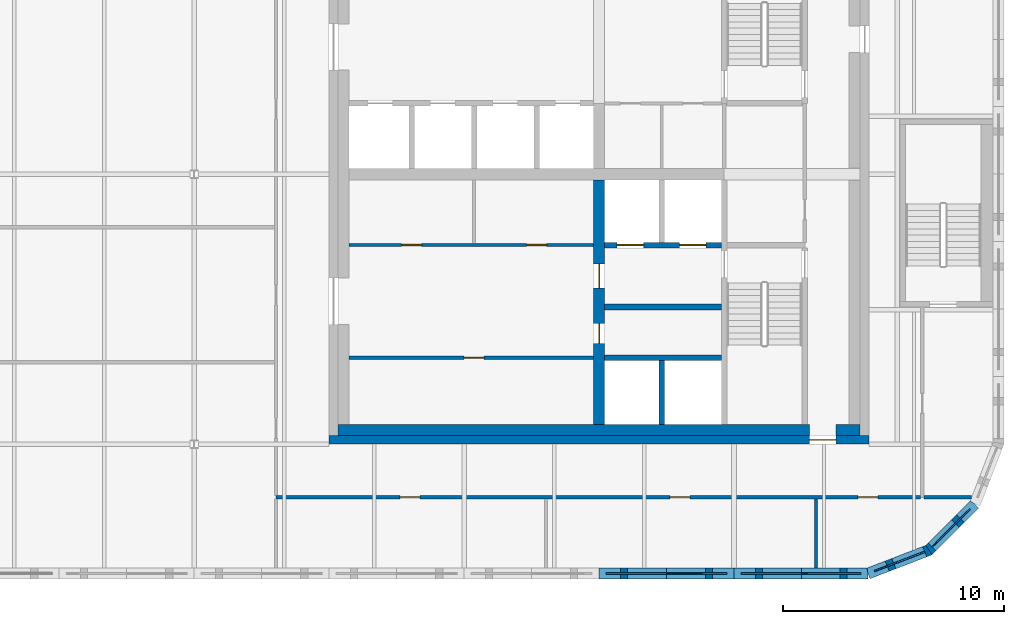
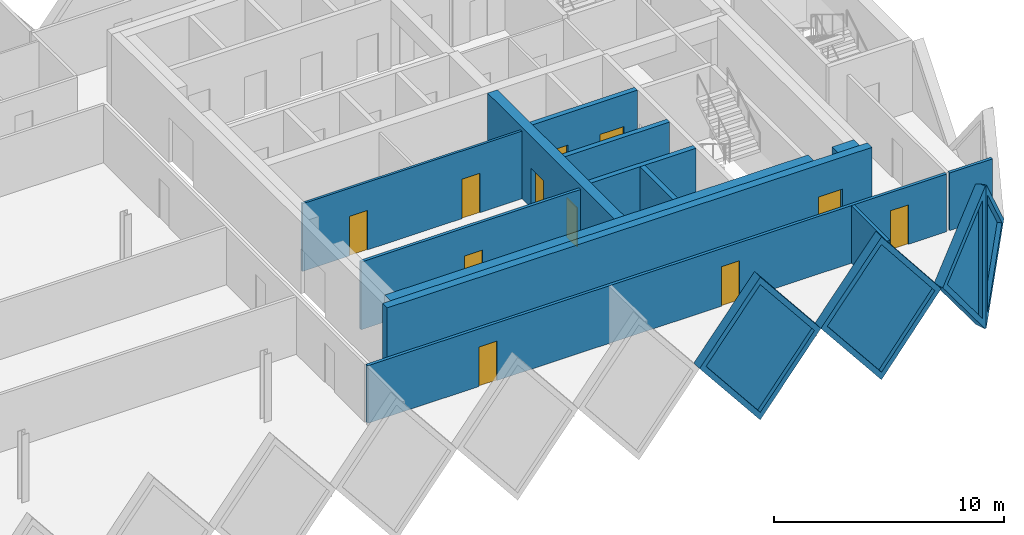
# One storey, part 5 of 10: 17 walls, 11 doors, 4 plates, 15 openings.
"""IFC4 building model written with IfcOpenShell, lengths in metres."""

from ifc_helpers import new_model, si_unit, direction, frame, frame_2d, origin, place, context, subcontext, project, spatial, polyline, rectangle, outline, extrude, faceted_brep, source, transform, mapped, material, layer, layer_set, type_object, element, fill, save


model = new_model("IFC4")

# Units and contexts
model_context = context("Model", 3, precision=1e-05, world=origin(), true_north=direction((0.0, 1.0)))
body_context = subcontext(model_context, "Body", "Model", "MODEL_VIEW")
ifc_project = project(units=[si_unit("LENGTHUNIT", "METRE"), si_unit("AREAUNIT", "SQUARE_METRE"), si_unit("VOLUMEUNIT", "CUBIC_METRE"), si_unit("PLANEANGLEUNIT", "RADIAN"), si_unit("MASSUNIT", "GRAM", prefix="KILO")], contexts=[model_context])

# Site, building, storey
site_placement = place(None, origin())
site = spatial("IfcSite", under=ifc_project, at=site_placement, CompositionType="ELEMENT")
building_placement = place(site_placement, origin())
building = spatial("IfcBuilding", under=site, at=building_placement, Name="Tessera Gate Towers", CompositionType="ELEMENT")
storey_placement = place(building_placement, frame((0.0, 0.0, 248.300048828125)))
storey = spatial("IfcBuildingStorey", under=building, at=storey_placement, Name="L62", CompositionType="ELEMENT", Elevation=248.300048828125)

# Wall, openings, doors
ifc_material_1 = material(Name="Concrete C40/50", Category="concrete")
ifc_layer_1 = layer(ifc_material_1, 0.25)
ifc_layer_set_1 = layer_set([ifc_layer_1], Name="CORE ENCLOSURE WALL 250")
wall_type_1 = type_object("IfcWallType", Name="CORE ENCLOSURE WALL 250", PredefinedType="SOLIDWALL", material=ifc_layer_set_1)
wall_1_placement = place(storey_placement, frame((48.22509765625, 33.39990234375, 0.0), z_axis=(0.0, 0.0, 1.0), x_axis=(-1.0, 0.0, 0.0)))
wall_1 = element("IfcWall", 1, at=wall_1_placement, inside=storey, type_object=wall_type_1, Name="L62 shaft and stair enclosure wall", PredefinedType="SOLIDWALL", context=body_context, shape_type="SweptSolid", body=[
    extrude(rectangle(XDim=5.275146484375, YDim=0.25, at=frame_2d((2.6376953125, 0.0))), origin(), (0.0, 0.0, 1.0), 3.800048828125),
])
shared_shape_1 = source(origin(), body_context, "Body", "SweptSolid", [
    extrude(rectangle(XDim=1.199951171875, YDim=2.10009765625, at=frame_2d((0.60009765625, 1.050048828125))), frame((0.0, 0.135009765625, 0.0), z_axis=(0.0, -1.0, 0.0), x_axis=(1.0, 0.0, 0.0)), (0.0, 0.0, 1.0), 0.27001953125),
])
opening_1_placement = place(wall_1_placement, frame((3.512451171875, 0.0, 0.0)))
opening_1 = element("IfcOpeningElement", 2, at=opening_1_placement, cuts=wall_1, Name="Opening LD-FF1", PredefinedType="OPENING", context=body_context, shape_type="MappedRepresentation", body=[
    mapped(shared_shape_1, transform((0.0, 0.0, 0.0), scale=1.0)),
])
opening_2_placement = place(wall_1_placement, frame((0.6875, 0.0, 0.0)))
opening_2 = element("IfcOpeningElement", 3, at=opening_2_placement, cuts=wall_1, Name="Opening LD-FF2", PredefinedType="OPENING", context=body_context, shape_type="MappedRepresentation", body=[
    mapped(shared_shape_1, transform((0.0, 0.0, 0.0), scale=1.0)),
])
ifc_material_2 = material(Name="Stainless steel", Category="steel")
door_type_1 = type_object("IfcDoorType", Name="CORE DOOR LD1200 1200x2100", OperationType="DOUBLE_DOOR_SLIDING", PredefinedType="DOOR", material=ifc_material_2)
shared_shape_2 = source(origin(), body_context, "Body", "SweptSolid", [
    extrude(rectangle(XDim=1.199951171875, YDim=2.10009765625, at=frame_2d((0.60009765625, 1.050048828125))), frame((0.0, 0.02490234375, 0.0), z_axis=(0.0, -1.0, 0.0), x_axis=(1.0, 0.0, 0.0)), (0.0, 0.0, 1.0), 0.050048828125),
])
door_1_placement = place(opening_1_placement, origin())
door_1 = element("IfcDoor", 4, at=door_1_placement, inside=storey, type_object=door_type_1, Name="Landing door FF1 L62", OperationType="DOUBLE_DOOR_SLIDING", OverallHeight=2.10009765625, OverallWidth=1.199951171875, PredefinedType="DOOR", context=body_context, shape_type="MappedRepresentation", body=[
    mapped(shared_shape_2, transform((0.0, 0.0, 0.0), scale=1.0)),
])
fill(opening_1, door_1)
door_2_placement = place(opening_2_placement, origin())
door_2 = element("IfcDoor", 5, at=door_2_placement, inside=storey, type_object=door_type_1, Name="Landing door FF2 L62", OperationType="DOUBLE_DOOR_SLIDING", OverallHeight=2.10009765625, OverallWidth=1.199951171875, PredefinedType="DOOR", context=body_context, shape_type="MappedRepresentation", body=[
    mapped(shared_shape_2, transform((0.0, 0.0, 0.0), scale=1.0)),
])
fill(opening_2, door_2)

# Walls
for number, where, z_axis, x_axis, name in (
    (6, (42.949951171875, 28.300048828125, 0.0), (0.0, 0.0, 1.0), (1.0, 0.0, 0.0), "L62 shaft and stair enclosure wall"),
    (7, (42.949951171875, 30.60009765625, 0.0), (0.0, 0.0, 1.0), (1.0, 0.0, 0.0), "L62 shaft and stair enclosure wall"),
):
    element("IfcWall", number, at=place(storey_placement, frame(where, z_axis=z_axis, x_axis=x_axis)), inside=storey, type_object=wall_type_1, Name=name, PredefinedType="SOLIDWALL", context=body_context, shape_type="SweptSolid", body=[
        extrude(rectangle(XDim=5.275146484375, YDim=0.25, at=frame_2d((2.6376953125, 0.0))), origin(), (0.0, 0.0, 1.0), 3.800048828125),
    ])
wall_2_placement = place(storey_placement, frame((45.52490234375, 25.300048828125, 0.0), z_axis=(0.0, 0.0, 1.0), x_axis=(0.0, 1.0, 0.0)))
element("IfcWall", 8, at=wall_2_placement, inside=storey, type_object=wall_type_1, Name="L62 shaft and stair enclosure wall", PredefinedType="SOLIDWALL", context=body_context, shape_type="SweptSolid", body=[
    extrude(rectangle(XDim=2.875, YDim=0.25, at=frame_2d((1.4375, 0.0))), origin(), (0.0, 0.0, 1.0), 3.800048828125),
])

# Wall, openings, doors
ifc_material_3 = material(Name="Gypsum board on steel studs", Category="steel")
ifc_layer_2 = layer(ifc_material_3, 0.1201171875)
ifc_layer_set_2 = layer_set([ifc_layer_2], Name="CORE PARTITION 120")
wall_type_2 = type_object("IfcWallType", Name="CORE PARTITION 120", PredefinedType="PARTITIONING", material=ifc_layer_set_2)
wall_3_placement = place(storey_placement, frame((31.39990234375, 33.39990234375, 0.0), z_axis=(0.0, 0.0, 1.0), x_axis=(1.0, 0.0, 0.0)))
wall_3 = element("IfcWall", 9, at=wall_3_placement, inside=storey, type_object=wall_type_2, Name="L62 core partition", PredefinedType="PARTITIONING", context=body_context, shape_type="SweptSolid", body=[
    extrude(rectangle(XDim=11.050048828125, YDim=0.1201171875, at=frame_2d((5.52490234375, 0.0))), origin(), (0.0, 0.0, 1.0), 3.599853515625),
])
shared_shape_3 = source(origin(), body_context, "Body", "SweptSolid", [
    extrude(rectangle(XDim=0.89990234375, YDim=2.10009765625, at=frame_2d((0.449951171875, 1.050048828125))), frame((0.0, 0.070068359375, 0.0), z_axis=(0.0, -1.0, 0.0), x_axis=(1.0, 0.0, 0.0)), (0.0, 0.0, 1.0), 0.14013671875),
])
opening_3_placement = place(wall_3_placement, frame((2.375, 0.0, 0.0)))
opening_3 = element("IfcOpeningElement", 10, at=opening_3_placement, cuts=wall_3, Name="Opening RD-T1-37-08", PredefinedType="OPENING", context=body_context, shape_type="MappedRepresentation", body=[
    mapped(shared_shape_3, transform((0.0, 0.0, 0.0), scale=1.0)),
])
opening_4_placement = place(wall_3_placement, frame((8.02490234375, 0.0, 0.0)))
opening_4 = element("IfcOpeningElement", 11, at=opening_4_placement, cuts=wall_3, Name="Opening RD-T1-37-09", PredefinedType="OPENING", context=body_context, shape_type="MappedRepresentation", body=[
    mapped(shared_shape_3, transform((0.0, 0.0, 0.0), scale=1.0)),
])
ifc_material_4 = material(Name="Hollow steel fire door", Category="steel")
door_type_2 = type_object("IfcDoorType", Name="CORE DOOR RD 900x2100", OperationType="NOTDEFINED", PredefinedType="DOOR", material=ifc_material_4)
shared_shape_4 = source(origin(), body_context, "Body", "SweptSolid", [
    extrude(rectangle(XDim=0.89990234375, YDim=2.10009765625, at=frame_2d((0.449951171875, 1.050048828125))), frame((0.0, 0.02490234375, 0.0), z_axis=(0.0, -1.0, 0.0), x_axis=(1.0, 0.0, 0.0)), (0.0, 0.0, 1.0), 0.050048828125),
])
door_3_placement = place(opening_3_placement, origin())
door_3 = element("IfcDoor", 12, at=door_3_placement, inside=storey, type_object=door_type_2, Name="Core room door", OperationType="SINGLE_SWING_LEFT", OverallHeight=2.10009765625, OverallWidth=0.89990234375, PredefinedType="DOOR", context=body_context, shape_type="MappedRepresentation", body=[
    mapped(shared_shape_4, transform((0.0, 0.0, 0.0), scale=1.0)),
])
fill(opening_3, door_3)
door_4_placement = place(opening_4_placement, origin())
door_4 = element("IfcDoor", 13, at=door_4_placement, inside=storey, type_object=door_type_2, Name="Core room door", OperationType="SINGLE_SWING_RIGHT", OverallHeight=2.10009765625, OverallWidth=0.89990234375, PredefinedType="DOOR", context=body_context, shape_type="MappedRepresentation", body=[
    mapped(shared_shape_4, transform((0.0, 0.0, 0.0), scale=1.0)),
])
fill(opening_4, door_4)

# Wall, opening, door
ifc_material_5 = material(Name="Concrete C40/50", Category="concrete")
ifc_layer_3 = layer(ifc_material_5, 0.39990234375)
ifc_layer_set_3 = layer_set([ifc_layer_3], Name="CORE SHEAR WALL 400 C40/50")
wall_type_3 = type_object("IfcWallType", Name="CORE SHEAR WALL 400 C40/50", PredefinedType="SHEAR", material=ifc_layer_set_3)
wall_4_placement = place(storey_placement, frame((54.89990234375, 24.60009765625, 0.0), z_axis=(0.0, 0.0, 1.0), x_axis=(-1.0, 0.0, 0.0)))
wall_4 = element("IfcWall", 14, at=wall_4_placement, inside=storey, type_object=wall_type_3, Name="Core wall S L62", PredefinedType="SHEAR", context=body_context, shape_type="SweptSolid", body=[
    extrude(rectangle(XDim=24.39990234375, YDim=0.39990234375, at=frame_2d((12.199951171875, 0.0))), origin(), (0.0, 0.0, 1.0), 3.800048828125),
])
shared_shape_5 = source(origin(), body_context, "Body", "SweptSolid", [
    extrude(rectangle(XDim=1.199951171875, YDim=2.10009765625, at=frame_2d((0.60009765625, 1.050048828125))), frame((0.0, 0.2099609375, 0.0), z_axis=(0.0, -1.0, 0.0), x_axis=(1.0, 0.0, 0.0)), (0.0, 0.0, 1.0), 0.419921875),
])
opening_5_placement = place(wall_4_placement, frame((1.5, 0.0, 0.0)))
opening_5 = element("IfcOpeningElement", 15, at=opening_5_placement, cuts=wall_4, Name="Opening ED-T1-37-01", PredefinedType="OPENING", context=body_context, shape_type="MappedRepresentation", body=[
    mapped(shared_shape_5, transform((0.0, 0.0, 0.0), scale=1.0)),
])
ifc_material_6 = material(Name="Hollow steel fire door", Category="steel")
door_type_3 = type_object("IfcDoorType", Name="CORE DOOR ED 1200x2100", OperationType="NOTDEFINED", PredefinedType="DOOR", material=ifc_material_6)
door_5_placement = place(opening_5_placement, origin())
door_5 = element("IfcDoor", 16, at=door_5_placement, inside=storey, type_object=door_type_3, Name="Core exit door", OperationType="SINGLE_SWING_LEFT", OverallHeight=2.10009765625, OverallWidth=1.199951171875, PredefinedType="DOOR", context=body_context, shape_type="MappedRepresentation", body=[
    mapped(shared_shape_2, transform((0.0, 0.0, 0.0), scale=1.0)),
])
fill(opening_5, door_5)

# Wall, openings, doors
ifc_material_7 = material(Name="Concrete C40/50", Category="concrete")
ifc_layer_4 = layer(ifc_material_7, 0.5)
ifc_layer_set_4 = layer_set([ifc_layer_4], Name="CORE SPINE WALL 500 C40/50")
wall_type_4 = type_object("IfcWallType", Name="CORE SPINE WALL 500 C40/50", PredefinedType="SHEAR", material=ifc_layer_set_4)
wall_5_placement = place(storey_placement, frame((42.699951171875, 36.35009765625, 0.0), z_axis=(0.0, 0.0, 1.0), x_axis=(0.0, -1.0, 0.0)))
wall_5 = element("IfcWall", 17, at=wall_5_placement, inside=storey, type_object=wall_type_4, Name="Core wall spine L62", PredefinedType="SHEAR", context=body_context, shape_type="SweptSolid", body=[
    extrude(rectangle(XDim=11.050048828125, YDim=0.5, at=frame_2d((5.52490234375, 0.0))), origin(), (0.0, 0.0, 1.0), 3.800048828125),
])
shared_shape_6 = source(origin(), body_context, "Body", "SweptSolid", [
    extrude(rectangle(XDim=0.89990234375, YDim=2.10009765625, at=frame_2d((0.449951171875, 1.050048828125))), frame((0.0, 0.260009765625, 0.0), z_axis=(0.0, -1.0, 0.0), x_axis=(1.0, 0.0, 0.0)), (0.0, 0.0, 1.0), 0.52001953125),
])
opening_6_placement = place(wall_5_placement, frame((6.5, 0.0, 0.0)))
opening_6 = element("IfcOpeningElement", 18, at=opening_6_placement, cuts=wall_5, Name="Opening RD-T1-37-05", PredefinedType="OPENING", context=body_context, shape_type="MappedRepresentation", body=[
    mapped(shared_shape_6, transform((0.0, 0.0, 0.0), scale=1.0)),
])
shared_shape_7 = source(origin(), body_context, "Body", "SweptSolid", [
    extrude(rectangle(XDim=1.10009765625, YDim=2.10009765625, at=frame_2d((0.550048828125, 1.050048828125))), frame((0.0, 0.260009765625, 0.0), z_axis=(0.0, -1.0, 0.0), x_axis=(1.0, 0.0, 0.0)), (0.0, 0.0, 1.0), 0.52001953125),
])
opening_7_placement = place(wall_5_placement, frame((3.800048828125, 0.0, 0.0)))
opening_7 = element("IfcOpeningElement", 19, at=opening_7_placement, cuts=wall_5, Name="Opening FD-T1-37-06", PredefinedType="OPENING", context=body_context, shape_type="MappedRepresentation", body=[
    mapped(shared_shape_7, transform((0.0, 0.0, 0.0), scale=1.0)),
])
door_6_placement = place(opening_6_placement, origin())
door_6 = element("IfcDoor", 20, at=door_6_placement, inside=storey, type_object=door_type_2, Name="Core room door", OperationType="SINGLE_SWING_RIGHT", OverallHeight=2.10009765625, OverallWidth=0.89990234375, PredefinedType="DOOR", context=body_context, shape_type="MappedRepresentation", body=[
    mapped(shared_shape_4, transform((0.0, 0.0, 0.0), scale=1.0)),
])
fill(opening_6, door_6)
ifc_material_8 = material(Name="Hollow steel fire door", Category="steel")
door_type_4 = type_object("IfcDoorType", Name="CORE DOOR FD 1100x2100", OperationType="NOTDEFINED", PredefinedType="DOOR", material=ifc_material_8)
shared_shape_8 = source(origin(), body_context, "Body", "SweptSolid", [
    extrude(rectangle(XDim=1.10009765625, YDim=2.10009765625, at=frame_2d((0.550048828125, 1.050048828125))), frame((0.0, 0.02490234375, 0.0), z_axis=(0.0, -1.0, 0.0), x_axis=(1.0, 0.0, 0.0)), (0.0, 0.0, 1.0), 0.050048828125),
])
door_7_placement = place(opening_7_placement, origin())
door_7 = element("IfcDoor", 21, at=door_7_placement, inside=storey, type_object=door_type_4, Name="Fire-fighting lobby door", OperationType="SINGLE_SWING_LEFT", OverallHeight=2.10009765625, OverallWidth=1.10009765625, PredefinedType="DOOR", context=body_context, shape_type="MappedRepresentation", body=[
    mapped(shared_shape_8, transform((0.0, 0.0, 0.0), scale=1.0)),
])
fill(opening_7, door_7)

# Walls
ifc_material_9 = material(Name="Concrete C40/50", Category="concrete")
ifc_layer_5 = layer(ifc_material_9, 0.5)
ifc_layer_set_5 = layer_set([ifc_layer_5], Name="CORE WALL THICKENING 500")
wall_type_5 = type_object("IfcWallType", Name="CORE WALL THICKENING 500", PredefinedType="SOLIDWALL", material=ifc_layer_set_5)
wall_6_placement = place(storey_placement, frame((30.89990234375, 25.050048828125, 0.0), z_axis=(0.0, 0.0, 1.0), x_axis=(1.0, 0.0, 0.0)))
element("IfcWall", 22, at=wall_6_placement, inside=storey, type_object=wall_type_5, Name="Core wall thickening S L62", PredefinedType="SOLIDWALL", context=body_context, shape_type="SweptSolid", body=[
    extrude(rectangle(XDim=21.300048828125, YDim=0.5, at=frame_2d((10.64990234375, 0.0))), origin(), (0.0, 0.0, 1.0), 3.800048828125),
])
wall_7_placement = place(storey_placement, frame((53.39990234375, 25.050048828125, 0.0), z_axis=(0.0, 0.0, 1.0), x_axis=(1.0, 0.0, 0.0)))
element("IfcWall", 23, at=wall_7_placement, inside=storey, type_object=wall_type_5, Name="Core wall thickening S L62", PredefinedType="SOLIDWALL", context=body_context, shape_type="SweptSolid", body=[
    extrude(rectangle(XDim=1.10009765625, YDim=0.5, at=frame_2d((0.550048828125, 0.0))), origin(), (0.0, 0.0, 1.0), 3.800048828125),
])

# Wall, openings, doors
ifc_material_10 = material(Name="Gypsum board on steel studs, mineral wool", Category="steel")
ifc_layer_6 = layer(ifc_material_10, 0.14990234375)
ifc_layer_set_6 = layer_set([ifc_layer_6], Name="CORRIDOR WALL 150")
wall_type_6 = type_object("IfcWallType", Name="CORRIDOR WALL 150", PredefinedType="PARTITIONING", material=ifc_layer_set_6)
wall_8_placement = place(storey_placement, frame((57.22412109375, 22.0, 0.0), z_axis=(0.0, 0.0, 1.0), x_axis=(-1.0, 0.0, 0.0)))
wall_8 = element("IfcWall", 24, at=wall_8_placement, inside=storey, type_object=wall_type_6, Name="T1-L62-PW-006", PredefinedType="PARTITIONING", context=body_context, shape_type="SweptSolid", body=[
    extrude(rectangle(XDim=29.1240234375, YDim=0.14990234375, at=frame_2d((14.56201171875, 0.0))), origin(), (0.0, 0.0, 1.0), 3.06689453125),
])
shared_shape_9 = source(origin(), body_context, "Body", "SweptSolid", [
    extrude(rectangle(XDim=0.89990234375, YDim=2.10009765625, at=frame_2d((0.449951171875, 1.050048828125))), frame((0.0, 0.0849609375, 0.0), z_axis=(0.0, -1.0, 0.0), x_axis=(1.0, 0.0, 0.0)), (0.0, 0.0, 1.0), 0.169921875),
])
opening_8_placement = place(wall_8_placement, frame((1.923095703125, 0.0, 0.0)))
opening_8 = element("IfcOpeningElement", 25, at=opening_8_placement, cuts=wall_8, Name="Opening D890FD60-A21-01", PredefinedType="OPENING", context=body_context, shape_type="MappedRepresentation", body=[
    mapped(shared_shape_9, transform((0.0, 0.0, 0.0), scale=1.0)),
])
opening_9_placement = place(wall_8_placement, frame((22.6240234375, 0.0, 0.0)))
opening_9 = element("IfcOpeningElement", 26, at=opening_9_placement, cuts=wall_8, Name="Opening D890FD60-A21-10", PredefinedType="OPENING", context=body_context, shape_type="MappedRepresentation", body=[
    mapped(shared_shape_9, transform((0.0, 0.0, 0.0), scale=1.0)),
])
opening_10_placement = place(wall_8_placement, frame((10.424072265625, 0.0, 0.0)))
opening_10 = element("IfcOpeningElement", 27, at=opening_10_placement, cuts=wall_8, Name="Opening D890FD60-A21-12", PredefinedType="OPENING", context=body_context, shape_type="MappedRepresentation", body=[
    mapped(shared_shape_9, transform((0.0, 0.0, 0.0), scale=1.0)),
])
ifc_material_11 = material(Name="Timber door leaf in steel frame", Category="steel")
door_type_5 = type_object("IfcDoorType", Name="CORRIDOR DOOR 900 FD60", OperationType="NOTDEFINED", PredefinedType="DOOR", material=ifc_material_11)
door_8_placement = place(opening_8_placement, origin())
door_8 = element("IfcDoor", 28, at=door_8_placement, inside=storey, type_object=door_type_5, Name="T1-L62-PD-002", OperationType="SINGLE_SWING_RIGHT", OverallHeight=2.10009765625, OverallWidth=0.89990234375, PredefinedType="DOOR", context=body_context, shape_type="MappedRepresentation", body=[
    mapped(shared_shape_4, transform((0.0, 0.0, 0.0), scale=1.0)),
])
fill(opening_8, door_8)
door_9_placement = place(opening_9_placement, origin())
door_9 = element("IfcDoor", 29, at=door_9_placement, inside=storey, type_object=door_type_5, Name="T1-L62-PD-018", OperationType="SINGLE_SWING_RIGHT", OverallHeight=2.10009765625, OverallWidth=0.89990234375, PredefinedType="DOOR", context=body_context, shape_type="MappedRepresentation", body=[
    mapped(shared_shape_4, transform((0.0, 0.0, 0.0), scale=1.0)),
])
fill(opening_9, door_9)
door_10_placement = place(opening_10_placement, origin())
door_10 = element("IfcDoor", 30, at=door_10_placement, inside=storey, type_object=door_type_5, Name="T1-L62-PD-020", OperationType="SINGLE_SWING_RIGHT", OverallHeight=2.10009765625, OverallWidth=0.89990234375, PredefinedType="DOOR", context=body_context, shape_type="MappedRepresentation", body=[
    mapped(shared_shape_4, transform((0.0, 0.0, 0.0), scale=1.0)),
])
fill(opening_10, door_10)

# Wall, opening, door
ifc_material_12 = material(Name="Gypsum board on steel studs", Category="steel")
ifc_layer_7 = layer(ifc_material_12, 0.14990234375)
ifc_layer_set_7 = layer_set([ifc_layer_7], Name="SERVICE ROOM WALL 150")
wall_type_7 = type_object("IfcWallType", Name="SERVICE ROOM WALL 150", PredefinedType="PARTITIONING", material=ifc_layer_set_7)
wall_9_placement = place(storey_placement, frame((42.449951171875, 28.300048828125, 0.0), z_axis=(0.0, 0.0, 1.0), x_axis=(-1.0, 0.0, 0.0)))
wall_9 = element("IfcWall", 31, at=wall_9_placement, inside=storey, type_object=wall_type_7, Name="L62 service room wall", PredefinedType="PARTITIONING", context=body_context, shape_type="SweptSolid", body=[
    extrude(rectangle(XDim=11.050048828125, YDim=0.14990234375, at=frame_2d((5.52490234375, 0.0))), origin(), (0.0, 0.0, 1.0), 3.599853515625),
])
opening_11_placement = place(wall_9_placement, frame((4.949951171875, 0.0, 0.0)))
opening_11 = element("IfcOpeningElement", 32, at=opening_11_placement, cuts=wall_9, Name="Opening RD-T1-37-07", PredefinedType="OPENING", context=body_context, shape_type="MappedRepresentation", body=[
    mapped(shared_shape_9, transform((0.0, 0.0, 0.0), scale=1.0)),
])
door_11_placement = place(opening_11_placement, origin())
door_11 = element("IfcDoor", 33, at=door_11_placement, inside=storey, type_object=door_type_2, Name="Core room door", OperationType="SINGLE_SWING_LEFT", OverallHeight=2.10009765625, OverallWidth=0.89990234375, PredefinedType="DOOR", context=body_context, shape_type="MappedRepresentation", body=[
    mapped(shared_shape_4, transform((0.0, 0.0, 0.0), scale=1.0)),
])
fill(opening_11, door_11)

# Walls
ifc_material_13 = material(Name="Gypsum board on steel studs, mineral wool", Category="steel")
ifc_layer_8 = layer(ifc_material_13, 0.14990234375)
ifc_layer_set_8 = layer_set([ifc_layer_8], Name="TENANCY WALL 150")
wall_type_8 = type_object("IfcWallType", Name="TENANCY WALL 150", PredefinedType="PARTITIONING", material=ifc_layer_set_8)
wall_10_placement = place(storey_placement, frame((52.5, 18.800048828125, 0.0), z_axis=(0.0, 0.0, 1.0), x_axis=(0.0, 1.0, 0.0)))
element("IfcWall", 34, at=wall_10_placement, inside=storey, type_object=wall_type_8, Name="T1-L62-PW-003", PredefinedType="PARTITIONING", context=body_context, shape_type="SweptSolid", body=[
    extrude(rectangle(XDim=3.1240234375, YDim=0.14990234375, at=frame_2d((1.56201171875, 0.0))), origin(), (0.0, 0.0, 1.0), 3.06689453125),
])
wall_11_placement = place(storey_placement, frame((57.3759765625, 22.0, 0.0), z_axis=(0.0, 0.0, 1.0), x_axis=(1.0, 0.0, 0.0)))
element("IfcWall", 35, at=wall_11_placement, inside=storey, type_object=wall_type_8, Name="T1-L62-PW-008", PredefinedType="PARTITIONING", context=body_context, shape_type="SweptSolid", body=[
    extrude(rectangle(XDim=2.162353515625, YDim=0.14990234375, at=frame_2d((1.0810546875, 0.0))), origin(), (0.0, 0.0, 1.0), 3.06689453125),
])

# Wall, opening, plate
ifc_material_14 = material(Name="Precast concrete C60/75 white", Category="concrete")
ifc_layer_9 = layer(ifc_material_14, 0.5)
ifc_layer_set_9 = layer_set([ifc_layer_9], Name="TS1 tessera")
wall_type_9 = type_object("IfcWallType", Name="TS1 tessera", PredefinedType="SOLIDWALL", material=ifc_layer_set_9)
shared_shape_10 = source(origin(), body_context, "Body", "SweptSolid", [
    extrude(outline(polyline([(3.050048828125, 0.0), (6.10009765625, 3.800048828125), (3.050048828125, 7.60009765625), (0.0, 3.800048828125), (3.050048828125, 0.0)])), frame((0.0, 0.25, 0.0), z_axis=(0.0, -1.0, 0.0), x_axis=(1.0, 0.0, 0.0)), (0.0, 0.0, 1.0), 0.5),
])
wall_12_placement = place(storey_placement, frame((42.699951171875, 18.550048828125, -3.800048828125), z_axis=(0.0, 0.0, 1.0), x_axis=(1.0, 0.0, 0.0)))
wall_12 = element("IfcWall", 36, at=wall_12_placement, inside=storey, type_object=wall_type_9, Name="Precast tessera T1 TS1-1085", PredefinedType="SOLIDWALL", context=body_context, shape_type="MappedRepresentation", body=[
    mapped(shared_shape_10, transform((0.0, 0.0, 0.0), scale=1.0)),
])
shared_shape_11 = source(origin(), body_context, "Body", "SweptSolid", [
    extrude(outline(polyline([(3.050048828125, 0.3994140625), (5.779541015625, 3.800048828125), (3.050048828125, 7.20068359375), (0.320556640625, 3.800048828125), (3.050048828125, 0.3994140625)])), frame((0.0, 0.260009765625, 0.0), z_axis=(0.0, -1.0, 0.0), x_axis=(1.0, 0.0, 0.0)), (0.0, 0.0, 1.0), 0.52001953125),
])
opening_12_placement = place(wall_12_placement, origin())
opening_12 = element("IfcOpeningElement", 37, at=opening_12_placement, cuts=wall_12, Name="Opening T1-PL2-2201", PredefinedType="OPENING", context=body_context, shape_type="MappedRepresentation", body=[
    mapped(shared_shape_11, transform((0.0, 0.0, 0.0), scale=1.0)),
])
ifc_material_15 = material(Name="Low-e laminated glass", Category="glass")
ifc_layer_10 = layer(ifc_material_15, 0.06005859375)
ifc_layer_set_10 = layer_set([ifc_layer_10], Name="PL2 rhombic pane")
plate_type = type_object("IfcPlateType", Name="PL2 rhombic pane", PredefinedType="SHEET", material=ifc_layer_set_10)
shared_shape_12 = source(origin(), body_context, "Body", "SweptSolid", [
    extrude(outline(polyline([(3.050048828125, 0.3994140625), (5.779541015625, 3.800048828125), (3.050048828125, 7.20068359375), (0.320556640625, 3.800048828125), (3.050048828125, 0.3994140625)])), frame((0.0, 0.030029296875, 0.0), z_axis=(0.0, -1.0, 0.0), x_axis=(1.0, 0.0, 0.0)), (0.0, 0.0, 1.0), 0.06005859375),
])
plate_1_placement = place(opening_12_placement, origin())
plate_1 = element("IfcPlate", 38, at=plate_1_placement, inside=storey, type_object=plate_type, Name="Glass pane T1 PL2-2201", PredefinedType="SHEET", context=body_context, shape_type="MappedRepresentation", body=[
    mapped(shared_shape_12, transform((0.0, 0.0, 0.0), scale=1.0)),
])
fill(opening_12, plate_1)

shared_shape_13 = source(origin(), body_context, "Body", "Brep", [
    faceted_brep([(3.050048828125, -0.25, 0.0), (6.053466796875, -0.25, 3.800048828125), (3.050048828125, -0.25, 7.60009765625), (0.0, -0.25, 3.800048828125), (0.0, 0.25, 3.800048828125), (3.050048828125, 0.25, 7.60009765625), (6.0068359375, 0.25, 3.85888671875), (6.0068359375, 0.25, 3.7412109375), (3.050048828125, 0.25, 0.0), (6.053466796875, 0.0, 3.800048828125)], [[[0, 1, 2, 3]], [[4, 5, 6, 7, 8]], [[8, 7, 9, 1, 0]], [[6, 5, 2, 1, 9]], [[5, 4, 3, 2]], [[4, 8, 0, 3]], [[9, 7, 6]]]),
])
wall_13_placement = place(storey_placement, frame((48.800048828125, 18.550048828125, -3.800048828125), z_axis=(0.0, 0.0, 1.0), x_axis=(1.0, 0.0, 0.0)))
wall_13 = element("IfcWall", 39, at=wall_13_placement, inside=storey, type_object=wall_type_9, Name="Precast tessera T1 TS1-1086", PredefinedType="SOLIDWALL", context=body_context, shape_type="MappedRepresentation", body=[
    mapped(shared_shape_13, transform((0.0, 0.0, 0.0), scale=1.0)),
])
shared_shape_14 = source(origin(), body_context, "Body", "SweptSolid", [
    extrude(outline(polyline([(3.048583984375, 0.4013671875), (5.73486328125, 3.800048828125), (3.048583984375, 7.19873046875), (0.320556640625, 3.800048828125), (3.048583984375, 0.4013671875)])), frame((0.0, 0.260009765625, 0.0), z_axis=(0.0, -1.0, 0.0), x_axis=(1.0, 0.0, 0.0)), (0.0, 0.0, 1.0), 0.52001953125),
])
opening_13_placement = place(wall_13_placement, origin())
opening_13 = element("IfcOpeningElement", 40, at=opening_13_placement, cuts=wall_13, Name="Opening T1-PL2-2202", PredefinedType="OPENING", context=body_context, shape_type="MappedRepresentation", body=[
    mapped(shared_shape_14, transform((0.0, 0.0, 0.0), scale=1.0)),
])
shared_shape_15 = source(origin(), body_context, "Body", "SweptSolid", [
    extrude(outline(polyline([(3.048583984375, 0.4013671875), (5.73486328125, 3.800048828125), (3.048583984375, 7.19873046875), (0.320556640625, 3.800048828125), (3.048583984375, 0.4013671875)])), frame((0.0, 0.030029296875, 0.0), z_axis=(0.0, -1.0, 0.0), x_axis=(1.0, 0.0, 0.0)), (0.0, 0.0, 1.0), 0.06005859375),
])
plate_2_placement = place(opening_13_placement, origin())
plate_2 = element("IfcPlate", 41, at=plate_2_placement, inside=storey, type_object=plate_type, Name="Glass pane T1 PL2-2202", PredefinedType="SHEET", context=body_context, shape_type="MappedRepresentation", body=[
    mapped(shared_shape_15, transform((0.0, 0.0, 0.0), scale=1.0)),
])
fill(opening_13, plate_2)

ifc_material_16 = material(Name="Precast concrete C60/75 white", Category="concrete")
ifc_layer_11 = layer(ifc_material_16, 0.5)
ifc_layer_set_11 = layer_set([ifc_layer_11], Name="TS3 corner tessera")
wall_type_10 = type_object("IfcWallType", Name="TS3 corner tessera", PredefinedType="SOLIDWALL", material=ifc_layer_set_11)
shared_shape_16 = source(origin(), body_context, "Body", "Brep", [
    faceted_brep([(2.950439453125, -0.25, 0.0), (3.00341796875, -0.25, 0.068359375), (3.00341796875, -0.25, 7.53173828125), (2.950439453125, -0.25, 7.60009765625), (0.0, -0.25, 3.800048828125), (0.046630859375, 0.25, 3.860107421875), (2.897705078125, 0.25, 7.531982421875), (2.897705078125, 0.25, 0.068115234375), (0.046630859375, 0.25, 3.739990234375), (2.950439453125, 0.00048828125, 0.0), (2.950439453125, 0.00048828125, 7.60009765625), (0.0, 0.0, 3.800048828125)], [[[0, 1, 2, 3, 4]], [[5, 6, 7, 8]], [[1, 0, 9]], [[10, 3, 2]], [[6, 5, 11, 4, 3, 10]], [[8, 7, 9, 0, 4, 11]], [[8, 11, 5]], [[1, 9, 7, 6, 10, 2]]]),
])
wall_14_placement = place(storey_placement, frame((54.853515625, 18.550048828125, -3.800048828125), z_axis=(0.0, 0.0, 1.0), x_axis=(0.932997369089, 0.359883188373, 0.0)))
wall_14 = element("IfcWall", 42, at=wall_14_placement, inside=storey, type_object=wall_type_10, Name="Precast corner tessera T1 TS3-1417", PredefinedType="SOLIDWALL", context=body_context, shape_type="MappedRepresentation", body=[
    mapped(shared_shape_16, transform((0.0, 0.0, 0.0), scale=1.0)),
])
shared_shape_17 = source(origin(), body_context, "Body", "SweptSolid", [
    extrude(outline(polyline([(2.75048828125, 6.934814453125), (0.31640625, 3.800048828125), (2.75048828125, 0.665283203125), (2.75048828125, 6.934814453125)])), frame((0.0, 0.260009765625, 0.0), z_axis=(0.0, -1.0, 0.0), x_axis=(1.0, 0.0, 0.0)), (0.0, 0.0, 1.0), 0.52001953125),
])
opening_14_placement = place(wall_14_placement, origin())
opening_14 = element("IfcOpeningElement", 43, at=opening_14_placement, cuts=wall_14, Name="Opening T1-PL2-2203", PredefinedType="OPENING", context=body_context, shape_type="MappedRepresentation", body=[
    mapped(shared_shape_17, transform((0.0, 0.0, 0.0), scale=1.0)),
])
shared_shape_18 = source(origin(), body_context, "Body", "SweptSolid", [
    extrude(outline(polyline([(2.75048828125, 6.934814453125), (0.31640625, 3.800048828125), (2.75048828125, 0.665283203125), (2.75048828125, 6.934814453125)])), frame((0.0, 0.030029296875, 0.0), z_axis=(0.0, -1.0, 0.0), x_axis=(1.0, 0.0, 0.0)), (0.0, 0.0, 1.0), 0.06005859375),
])
plate_3_placement = place(opening_14_placement, origin())
plate_3 = element("IfcPlate", 44, at=plate_3_placement, inside=storey, type_object=plate_type, Name="Glass pane T1 PL2-2203", PredefinedType="SHEET", context=body_context, shape_type="MappedRepresentation", body=[
    mapped(shared_shape_18, transform((0.0, 0.0, 0.0), scale=1.0)),
])
fill(opening_14, plate_3)

shared_shape_19 = source(origin(), body_context, "Body", "Brep", [
    faceted_brep([(0.052978515625, -0.25, 0.0), (2.9970703125, -0.25, 3.800048828125), (0.052978515625, -0.25, 7.60009765625), (0.0, -0.25, 7.531982421875), (0.0, -0.25, 0.068115234375), (0.10595703125, 0.25, 7.53173828125), (2.944091796875, 0.25, 3.8681640625), (2.944091796875, 0.25, 3.73193359375), (0.10595703125, 0.25, 0.068359375), (2.9970703125, 0.000244140625, 3.800048828125), (0.052978515625, 0.0, 0.0), (0.052978515625, 0.0, 7.60009765625)], [[[0, 1, 2, 3, 4]], [[5, 6, 7, 8]], [[8, 7, 9, 1, 0, 10]], [[6, 5, 11, 2, 1, 9]], [[3, 2, 11]], [[10, 0, 4]], [[8, 10, 4, 3, 11, 5]], [[9, 7, 6]]]),
])
wall_15_placement = place(storey_placement, frame((57.56884765625, 19.574462890625, -3.800048828125), z_axis=(0.0, 0.0, 1.0), x_axis=(0.707106781187, 0.707106781187, 0.0)))
wall_15 = element("IfcWall", 45, at=wall_15_placement, inside=storey, type_object=wall_type_10, Name="Precast corner tessera T1 TS3-1418", PredefinedType="SOLIDWALL", context=body_context, shape_type="MappedRepresentation", body=[
    mapped(shared_shape_19, transform((0.0, 0.0, 0.0), scale=1.0)),
])
shared_shape_20 = source(origin(), body_context, "Body", "SweptSolid", [
    extrude(outline(polyline([(0.2529296875, 0.666259765625), (2.680908203125, 3.800048828125), (0.2529296875, 6.93359375), (0.2529296875, 0.666259765625)])), frame((0.0, 0.260009765625, 0.0), z_axis=(0.0, -1.0, 0.0), x_axis=(1.0, 0.0, 0.0)), (0.0, 0.0, 1.0), 0.52001953125),
])
opening_15_placement = place(wall_15_placement, origin())
opening_15 = element("IfcOpeningElement", 46, at=opening_15_placement, cuts=wall_15, Name="Opening T1-PL2-2204", PredefinedType="OPENING", context=body_context, shape_type="MappedRepresentation", body=[
    mapped(shared_shape_20, transform((0.0, 0.0, 0.0), scale=1.0)),
])
shared_shape_21 = source(origin(), body_context, "Body", "SweptSolid", [
    extrude(outline(polyline([(0.2529296875, 0.666259765625), (2.680908203125, 3.800048828125), (0.2529296875, 6.93359375), (0.2529296875, 0.666259765625)])), frame((0.0, 0.030029296875, 0.0), z_axis=(0.0, -1.0, 0.0), x_axis=(1.0, 0.0, 0.0)), (0.0, 0.0, 1.0), 0.06005859375),
])
plate_4_placement = place(opening_15_placement, origin())
plate_4 = element("IfcPlate", 47, at=plate_4_placement, inside=storey, type_object=plate_type, Name="Glass pane T1 PL2-2204", PredefinedType="SHEET", context=body_context, shape_type="MappedRepresentation", body=[
    mapped(shared_shape_21, transform((0.0, 0.0, 0.0), scale=1.0)),
])
fill(opening_15, plate_4)

save(model, "model.ifc")
